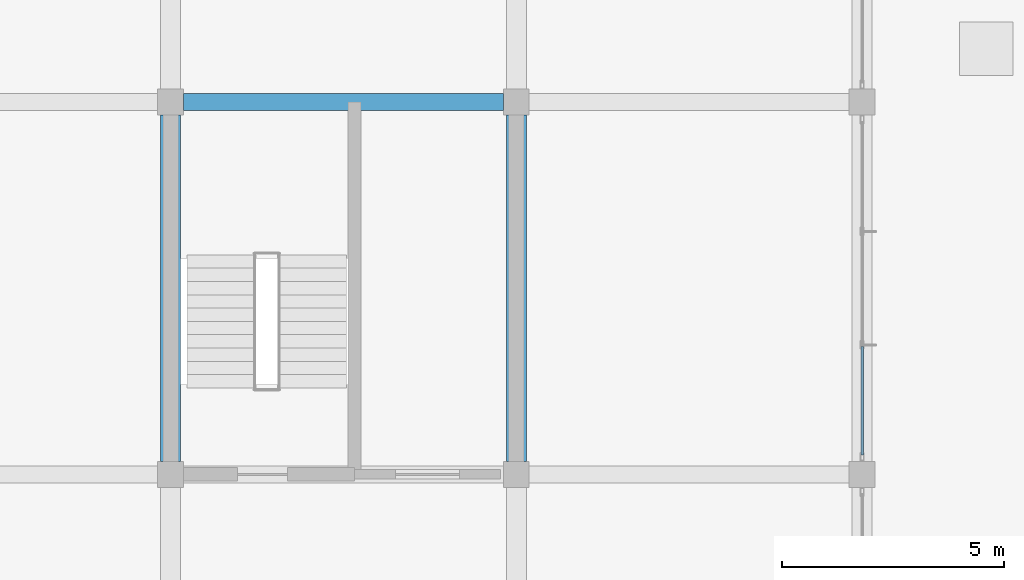
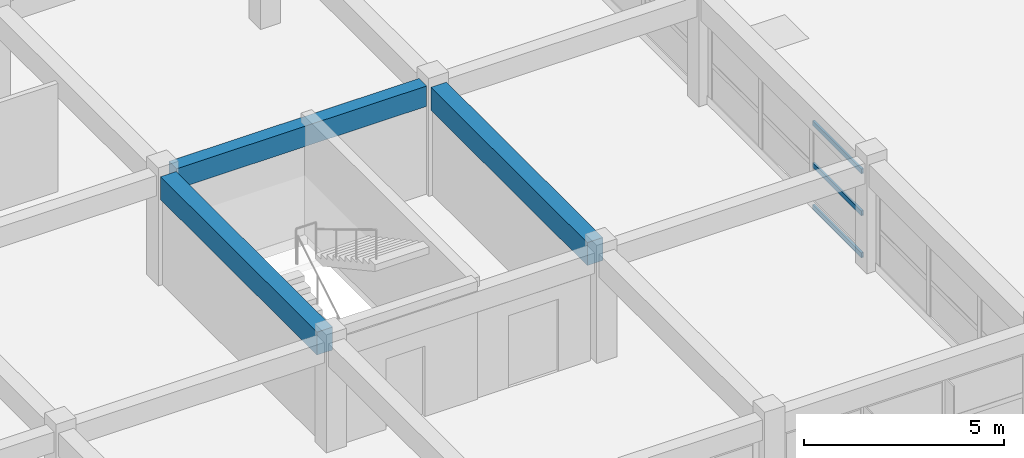
# One storey, part 56 of 101: 3 beams, 3 members, 1 element without a shape of its own.
"""IFC4 building model written with IfcOpenShell, lengths in metres."""

from ifc_helpers import new_model, si_unit, direction, frame, origin, origin_2d, place, context, subcontext, project, spatial, rectangle, hollow_rectangle, extrude, material, layer, layer_set, material_profile, profile_set, type_object, element, aggregate, save


model = new_model("IFC4")

# Units and contexts
model_context = context("Model", 3, precision=1e-05, world=origin(), true_north=direction((0.0, 1.0)))
body_context = subcontext(model_context, "Body", "Model", "MODEL_VIEW")
ifc_project = project(units=[si_unit("LENGTHUNIT", "METRE"), si_unit("AREAUNIT", "SQUARE_METRE"), si_unit("VOLUMEUNIT", "CUBIC_METRE"), si_unit("PLANEANGLEUNIT", "RADIAN"), si_unit("MASSUNIT", "GRAM", prefix="KILO")], contexts=[model_context])

# Site, building, storey
site_placement = place(None, origin())
site = spatial("IfcSite", under=ifc_project, at=site_placement, CompositionType="ELEMENT")
building_placement = place(site_placement, origin())
building = spatial("IfcBuilding", under=site, at=building_placement, Name="Zizhar Promenade General Hospital", CompositionType="ELEMENT")
storey_placement = place(building_placement, frame((0.0, 0.0, 14.39990234375)))
storey = spatial("IfcBuildingStorey", under=building, at=storey_placement, Name="L03", CompositionType="ELEMENT", Elevation=14.39990234375)

# Beams
ifc_material_1 = material(Name="Concrete C35/45", Category="concrete")
ifc_material_profile_1 = material_profile(ifc_material_1, rectangle(XDim=0.3798828125, YDim=0.6201171875, at=origin_2d()))
ifc_profile_set_1 = profile_set([ifc_material_profile_1], Name="Concrete C35/45")
beam_type_1 = type_object("IfcBeamType", Name="BM-RC-380x620", PredefinedType="JOIST", material=ifc_profile_set_1)
beam_placement = place(storey_placement, frame((171.889892578125, 58.800048828125, 3.0), z_axis=(1.0, 0.0, 0.0), x_axis=(0.0, 1.0, 0.0)))
element("IfcBeam", 1, at=beam_placement, inside=storey, type_object=beam_type_1, Name="Grid Beam X L03 (22-7)", PredefinedType="JOIST", context=body_context, shape_type="SweptSolid", body=[
    extrude(rectangle(XDim=0.3798828125, YDim=0.6201171875, at=origin_2d()), origin(), (0.0, 0.0, 1.0), 7.22021484375),
])
ifc_material_2 = material(Name="Concrete C35/45", Category="concrete")
ifc_material_profile_2 = material_profile(ifc_material_2, rectangle(XDim=0.449951171875, YDim=0.699951171875, at=origin_2d()))
ifc_profile_set_2 = profile_set([ifc_material_profile_2], Name="Concrete C35/45")
beam_type_2 = type_object("IfcBeamType", Name="BM-RC-450x700", PredefinedType="BEAM", material=ifc_profile_set_2)
for number, where, z_axis, x_axis, name in (
    (2, (171.60009765625, 50.68994140625, 2.960205078125), (0.0, 1.0, 0.0), (-1.0, 0.0, 0.0), "Grid Beam Y L03 (22-6)"),
    (3, (179.39990234375, 50.68994140625, 2.960205078125), (0.0, 1.0, 0.0), (-1.0, 0.0, 0.0), "Grid Beam Y L03 (23-6)"),
):
    element("IfcBeam", number, at=place(storey_placement, frame(where, z_axis=z_axis, x_axis=x_axis)), inside=storey, type_object=beam_type_2, Name=name, PredefinedType="BEAM", context=body_context, shape_type="SweptSolid", body=[
        extrude(rectangle(XDim=0.449951171875, YDim=0.699951171875, at=origin_2d()), origin(), (0.0, 0.0, 1.0), 7.820068359375),
    ])

# Curtain wall, members
ifc_material_3 = material(Name="Anodised aluminium 6063-T6 and low-E glass", Category="aluminium")
ifc_layer = layer(ifc_material_3, 0.159912109375)
ifc_layer_set = layer_set([ifc_layer], Name="Anodised aluminium 6063-T6 and low-E glass")
curtain_wall_type = type_object("IfcCurtainWallType", Name="CW-CLN-L03", PredefinedType="NOTDEFINED", material=ifc_layer_set)
curtain_wall_placement = place(storey_placement, origin())
curtain_wall = element("IfcCurtainWall", 4, at=curtain_wall_placement, inside=storey, type_object=curtain_wall_type, Name="L03 Clinic Pavilion East Glazing 6", PredefinedType="NOTDEFINED")
ifc_material_4 = material(Name="Anodised aluminium 6063-T6", Category="aluminium")
ifc_material_profile_3 = material_profile(ifc_material_4, hollow_rectangle(XDim=0.06005859375, YDim=0.14990234375, WallThickness=0.00390625, at=origin_2d()))
ifc_profile_set_3 = profile_set([ifc_material_profile_3], Name="Anodised aluminium 6063-T6")
member_type = type_object("IfcMemberType", Name="CWT-ALU-150x60", PredefinedType="USERDEFINED", material=ifc_profile_set_3)
member_1_placement = place(storey_placement, frame((187.199951171875, 53.280029296875, 0.030029296875), z_axis=(0.0, -1.0, 0.0), x_axis=(1.0, 0.0, 0.0)))
member_1 = element("IfcMember", 5, at=member_1_placement, type_object=member_type, Name="CW-11 transom 3.1", ObjectType="TRANSOM", PredefinedType="USERDEFINED", context=body_context, shape_type="SweptSolid", body=[
    extrude(hollow_rectangle(XDim=0.06005859375, YDim=0.14990234375, WallThickness=0.00390625, at=origin_2d()), origin(), (0.0, 0.0, 1.0), 2.43994140625),
])
member_2_placement = place(storey_placement, frame((187.199951171875, 53.280029296875, 1.31005859375), z_axis=(0.0, -1.0, 0.0), x_axis=(1.0, 0.0, 0.0)))
member_2 = element("IfcMember", 6, at=member_2_placement, type_object=member_type, Name="CW-11 transom 3.2", ObjectType="TRANSOM", PredefinedType="USERDEFINED", context=body_context, shape_type="SweptSolid", body=[
    extrude(hollow_rectangle(XDim=0.06005859375, YDim=0.14990234375, WallThickness=0.00390625, at=origin_2d()), origin(), (0.0, 0.0, 1.0), 2.43994140625),
])
member_3_placement = place(storey_placement, frame((187.199951171875, 53.280029296875, 2.590087890625), z_axis=(0.0, -1.0, 0.0), x_axis=(1.0, 0.0, 0.0)))
member_3 = element("IfcMember", 7, at=member_3_placement, type_object=member_type, Name="CW-11 transom 3.3", ObjectType="TRANSOM", PredefinedType="USERDEFINED", context=body_context, shape_type="SweptSolid", body=[
    extrude(hollow_rectangle(XDim=0.06005859375, YDim=0.14990234375, WallThickness=0.00390625, at=origin_2d()), origin(), (0.0, 0.0, 1.0), 2.43994140625),
])
aggregate(curtain_wall, [member_1, member_2, member_3])

save(model, "model.ifc")
